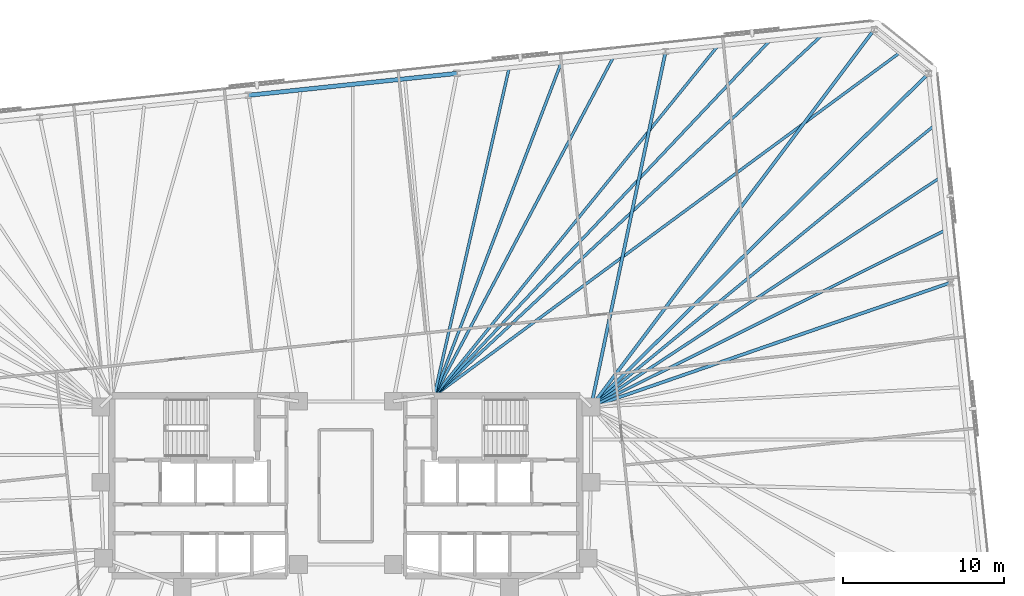
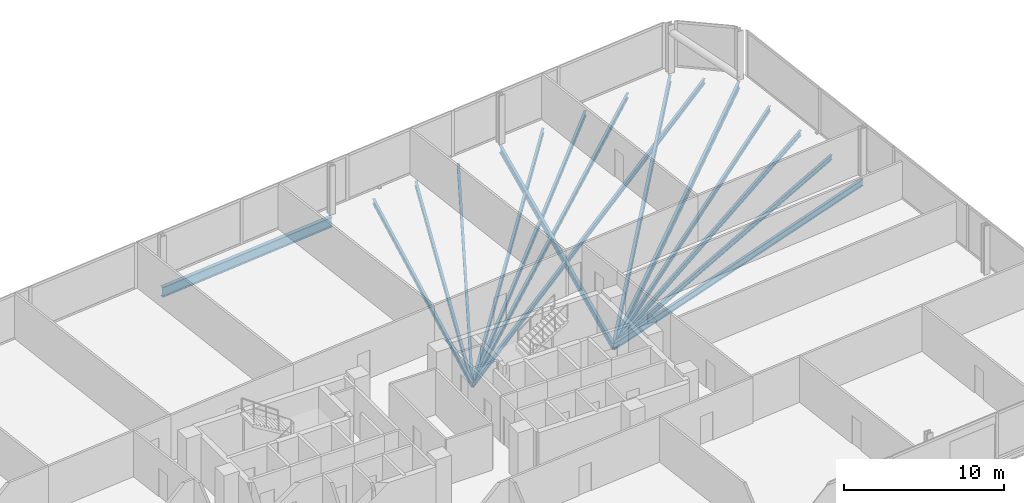
# One storey, part 10 of 18: 15 beams.
"""IFC4 building model written with IfcOpenShell, lengths in metres."""

from ifc_helpers import new_model, si_unit, direction, frame, origin, origin_2d, place, context, subcontext, project, spatial, i_section, extrude, material, material_profile, profile_set, type_object, element, save


model = new_model("IFC4")

# Units and contexts
model_context = context("Model", 3, precision=1e-05, world=origin(), true_north=direction((0.0, 1.0)))
body_context = subcontext(model_context, "Body", "Model", "MODEL_VIEW")
ifc_project = project(units=[si_unit("LENGTHUNIT", "METRE"), si_unit("AREAUNIT", "SQUARE_METRE"), si_unit("VOLUMEUNIT", "CUBIC_METRE"), si_unit("PLANEANGLEUNIT", "RADIAN"), si_unit("MASSUNIT", "GRAM", prefix="KILO")], contexts=[model_context])

# Site, building, storey
site_placement = place(None, origin())
site = spatial("IfcSite", under=ifc_project, at=site_placement, CompositionType="ELEMENT")
building_placement = place(site_placement, origin())
building = spatial("IfcBuilding", under=site, at=building_placement, Name="Menara Jurai Vektor", CompositionType="ELEMENT")
storey_placement = place(building_placement, frame((0.0, 0.0, 120.699951171875)))
storey = spatial("IfcBuildingStorey", under=building, at=storey_placement, Name="L30", CompositionType="ELEMENT", Elevation=120.699951171875)

# Beams
ifc_material_1 = material(Name="Steel S355", Category="steel")
ifc_material_profile_1 = material_profile(ifc_material_1, i_section(OverallWidth=0.199951171875, OverallDepth=0.5, WebThickness=0.011962890625, FlangeThickness=0.02001953125, at=origin_2d()), Name="PG 500x200x96")
ifc_profile_set_1 = profile_set([ifc_material_profile_1], Name="Steel S355")
beam_type_1 = type_object("IfcBeamType", Name="STR-BM-500", PredefinedType="BEAM", material=ifc_profile_set_1)
beam_1_placement = place(storey_placement, frame((37.62060546875, 12.638427734375, -0.474853515625), z_axis=(-0.945053249867, -0.326916434148, 0.0), x_axis=(0.326916434148, -0.945053249867, 0.0)))
element("IfcBeam", 1, at=beam_1_placement, inside=storey, type_object=beam_type_1, Name="Radial Floor Girder L30-E3", PredefinedType="BEAM", context=body_context, shape_type="SweptSolid", body=[
    extrude(i_section(OverallWidth=0.199951171875, OverallDepth=0.5, WebThickness=0.011962890625, FlangeThickness=0.02001953125, at=origin_2d()), origin(), (0.0, 0.0, 1.0), 23.671142578125),
])
beam_2_placement = place(storey_placement, frame((36.252685546875, 25.652099609375, -0.474853515625), z_axis=(-0.711335927547, -0.702852188004, 0.0), x_axis=(0.702852188004, -0.711335927547, 0.0)))
element("IfcBeam", 2, at=beam_2_placement, inside=storey, type_object=beam_type_1, Name="Radial Floor Girder L30-E4", PredefinedType="BEAM", context=body_context, shape_type="SweptSolid", body=[
    extrude(i_section(OverallWidth=0.199951171875, OverallDepth=0.5, WebThickness=0.011962890625, FlangeThickness=0.02001953125, at=origin_2d()), origin(), (0.0, 0.0, 1.0), 29.525634765625),
])
beam_3_placement = place(storey_placement, frame((32.876220703125, 28.38623046875, -0.474853515625), z_axis=(-0.600250057552, -0.799812395758, 0.0), x_axis=(0.799812395758, -0.600250057552, 0.0)))
element("IfcBeam", 3, at=beam_3_placement, inside=storey, type_object=beam_type_1, Name="Radial Floor Girder L30-N1", PredefinedType="BEAM", context=body_context, shape_type="SweptSolid", body=[
    extrude(i_section(OverallWidth=0.199951171875, OverallDepth=0.5, WebThickness=0.011962890625, FlangeThickness=0.02001953125, at=origin_2d()), origin(), (0.0, 0.0, 1.0), 29.36474609375),
])
beam_4_placement = place(storey_placement, frame((19.896728515625, 27.02197265625, -0.474853515625), z_axis=(-0.205563576063, -0.978643763683, 0.0), x_axis=(0.978643763683, -0.205563576063, 0.0)))
element("IfcBeam", 4, at=beam_4_placement, inside=storey, type_object=beam_type_1, Name="Radial Floor Girder L30-N2", PredefinedType="BEAM", context=body_context, shape_type="SweptSolid", body=[
    extrude(i_section(OverallWidth=0.199951171875, OverallDepth=0.5, WebThickness=0.011962890625, FlangeThickness=0.02001953125, at=origin_2d()), origin(), (0.0, 0.0, 1.0), 22.604736328125),
])
ifc_material_profile_2 = material_profile(ifc_material_1, i_section(OverallWidth=0.175048828125, OverallDepth=0.3798828125, WebThickness=0.010009765625, FlangeThickness=0.014892578125, at=origin_2d()), Name="PG 380x175x58")
ifc_profile_set_2 = profile_set([ifc_material_profile_2], Name="Steel S355")
beam_type_2 = type_object("IfcBeamType", Name="STR-JS-380", PredefinedType="JOIST", material=ifc_profile_set_2)
beam_5_placement = place(storey_placement, frame((37.278564453125, 15.891845703125, -0.4150390625), z_axis=(-0.894789854106, -0.446487532849, 0.0), x_axis=(0.446487532849, -0.894789854106, 0.0)))
element("IfcBeam", 5, at=beam_5_placement, inside=storey, type_object=beam_type_2, Name="Radial Secondary Floor Joist L30-JS16", PredefinedType="JOIST", context=body_context, shape_type="SweptSolid", body=[
    extrude(i_section(OverallWidth=0.175048828125, OverallDepth=0.3798828125, WebThickness=0.010009765625, FlangeThickness=0.014892578125, at=origin_2d()), origin(), (0.0, 0.0, 1.0), 24.61865234375),
])
beam_6_placement = place(storey_placement, frame((36.936767578125, 19.145263671875, -0.4150390625), z_axis=(-0.835810585743, -0.549017909326, 0.0), x_axis=(0.549017909326, -0.835810585743, 0.0)))
element("IfcBeam", 6, at=beam_6_placement, inside=storey, type_object=beam_type_2, Name="Radial Secondary Floor Joist L30-JS17", PredefinedType="JOIST", context=body_context, shape_type="SweptSolid", body=[
    extrude(i_section(OverallWidth=0.175048828125, OverallDepth=0.3798828125, WebThickness=0.010009765625, FlangeThickness=0.014892578125, at=origin_2d()), origin(), (0.0, 0.0, 1.0), 25.947021484375),
])
beam_7_placement = place(storey_placement, frame((36.5947265625, 22.398681640625, -0.4150390625), z_axis=(-0.773337004811, -0.63399517111, 0.0), x_axis=(0.63399517111, -0.773337004811, 0.0)))
element("IfcBeam", 7, at=beam_7_placement, inside=storey, type_object=beam_type_2, Name="Radial Secondary Floor Joist L30-JS18", PredefinedType="JOIST", context=body_context, shape_type="SweptSolid", body=[
    extrude(i_section(OverallWidth=0.175048828125, OverallDepth=0.3798828125, WebThickness=0.010009765625, FlangeThickness=0.014892578125, at=origin_2d()), origin(), (0.0, 0.0, 1.0), 27.600830078125),
])
beam_8_placement = place(storey_placement, frame((34.564453125, 27.01904296875, -0.4150390625), z_axis=(-0.805015724179, -0.593253473504, 0.0), x_axis=(0.593253473504, -0.805015724179, 0.0)))
element("IfcBeam", 8, at=beam_8_placement, inside=storey, type_object=beam_type_2, Name="Radial Secondary Floor Joist L30-JS19", PredefinedType="JOIST", context=body_context, shape_type="SweptSolid", body=[
    extrude(i_section(OverallWidth=0.175048828125, OverallDepth=0.3798828125, WebThickness=0.010009765625, FlangeThickness=0.014892578125, at=origin_2d()), origin(), (0.0, 0.0, 1.0), 36.104248046875),
])
beam_9_placement = place(storey_placement, frame((29.63134765625, 28.045166015625, -0.4150390625), z_axis=(-0.732227546694, -0.681060070671, 0.0), x_axis=(0.681060070671, -0.732227546694, 0.0)))
element("IfcBeam", 9, at=beam_9_placement, inside=storey, type_object=beam_type_2, Name="Radial Secondary Floor Joist L30-JS20", PredefinedType="JOIST", context=body_context, shape_type="SweptSolid", body=[
    extrude(i_section(OverallWidth=0.175048828125, OverallDepth=0.3798828125, WebThickness=0.010009765625, FlangeThickness=0.014892578125, at=origin_2d()), origin(), (0.0, 0.0, 1.0), 32.9560546875),
])
beam_10_placement = place(storey_placement, frame((26.386474609375, 27.7041015625, -0.4150390625), z_axis=(-0.686805497462, -0.726841254096, 0.0), x_axis=(0.726841254096, -0.686805497462, 0.0)))
element("IfcBeam", 10, at=beam_10_placement, inside=storey, type_object=beam_type_2, Name="Radial Secondary Floor Joist L30-JS21", PredefinedType="JOIST", context=body_context, shape_type="SweptSolid", body=[
    extrude(i_section(OverallWidth=0.175048828125, OverallDepth=0.3798828125, WebThickness=0.010009765625, FlangeThickness=0.014892578125, at=origin_2d()), origin(), (0.0, 0.0, 1.0), 30.4111328125),
])
beam_11_placement = place(storey_placement, frame((23.1416015625, 27.363037109375, -0.4150390625), z_axis=(-0.629715269624, -0.776826028917, 0.0), x_axis=(0.776826028917, -0.629715269624, 0.0)))
element("IfcBeam", 11, at=beam_11_placement, inside=storey, type_object=beam_type_2, Name="Radial Secondary Floor Joist L30-JS22", PredefinedType="JOIST", context=body_context, shape_type="SweptSolid", body=[
    extrude(i_section(OverallWidth=0.175048828125, OverallDepth=0.3798828125, WebThickness=0.010009765625, FlangeThickness=0.014892578125, at=origin_2d()), origin(), (0.0, 0.0, 1.0), 28.01513671875),
])
beam_12_placement = place(storey_placement, frame((16.651611328125, 26.680908203125, -0.4150390625), z_axis=(-0.467598899237, -0.883940761268, 0.0), x_axis=(0.883940761268, -0.467598899237, 0.0)))
element("IfcBeam", 12, at=beam_12_placement, inside=storey, type_object=beam_type_2, Name="Radial Secondary Floor Joist L30-JS23", PredefinedType="JOIST", context=body_context, shape_type="SweptSolid", body=[
    extrude(i_section(OverallWidth=0.175048828125, OverallDepth=0.3798828125, WebThickness=0.010009765625, FlangeThickness=0.014892578125, at=origin_2d()), origin(), (0.0, 0.0, 1.0), 23.8486328125),
])
beam_13_placement = place(storey_placement, frame((13.40673828125, 26.33984375, -0.4150390625), z_axis=(-0.3562267616, -0.934399536772, 0.0), x_axis=(0.934399536772, -0.3562267616, 0.0)))
element("IfcBeam", 13, at=beam_13_placement, inside=storey, type_object=beam_type_2, Name="Radial Secondary Floor Joist L30-JS24", PredefinedType="JOIST", context=body_context, shape_type="SweptSolid", body=[
    extrude(i_section(OverallWidth=0.175048828125, OverallDepth=0.3798828125, WebThickness=0.010009765625, FlangeThickness=0.014892578125, at=origin_2d()), origin(), (0.0, 0.0, 1.0), 22.19580078125),
])
beam_14_placement = place(storey_placement, frame((10.161865234375, 25.998779296875, -0.4150390625), z_axis=(-0.222793437271, -0.974865675008, 0.0), x_axis=(0.974865675008, -0.222793437271, 0.0)))
element("IfcBeam", 14, at=beam_14_placement, inside=storey, type_object=beam_type_2, Name="Radial Secondary Floor Joist L30-JS25", PredefinedType="JOIST", context=body_context, shape_type="SweptSolid", body=[
    extrude(i_section(OverallWidth=0.175048828125, OverallDepth=0.3798828125, WebThickness=0.010009765625, FlangeThickness=0.014892578125, at=origin_2d()), origin(), (0.0, 0.0, 1.0), 20.924560546875),
])
ifc_material_2 = material(Name="Steel S460", Category="steel")
ifc_material_profile_3 = material_profile(ifc_material_2, i_section(OverallWidth=0.26806640625, OverallDepth=0.77001953125, WebThickness=0.01611328125, FlangeThickness=0.02490234375, FilletRadius=0.01708984375, at=origin_2d()), Name="UKB 762x267x197")
ifc_profile_set_3 = profile_set([ifc_material_profile_3], Name="Steel S460")
beam_type_3 = type_object("IfcBeamType", Name="STR-SP-762", PredefinedType="SPANDREL", material=ifc_profile_set_3)
beam_15_placement = place(storey_placement, frame((6.9169921875, 25.65771484375, -0.60986328125), z_axis=(-0.994521431679, -0.104532874882, 0.0), x_axis=(0.104532874882, -0.994521431679, 0.0)))
element("IfcBeam", 15, at=beam_15_placement, inside=storey, type_object=beam_type_3, Name="Exoskeleton Spandrel Beam L30-13", PredefinedType="SPANDREL", context=body_context, shape_type="SweptSolid", body=[
    extrude(i_section(OverallWidth=0.26806640625, OverallDepth=0.77001953125, WebThickness=0.01611328125, FlangeThickness=0.02490234375, FilletRadius=0.01708984375, at=origin_2d()), origin(), (0.0, 0.0, 1.0), 13.051025390625),
])

save(model, "model.ifc")
